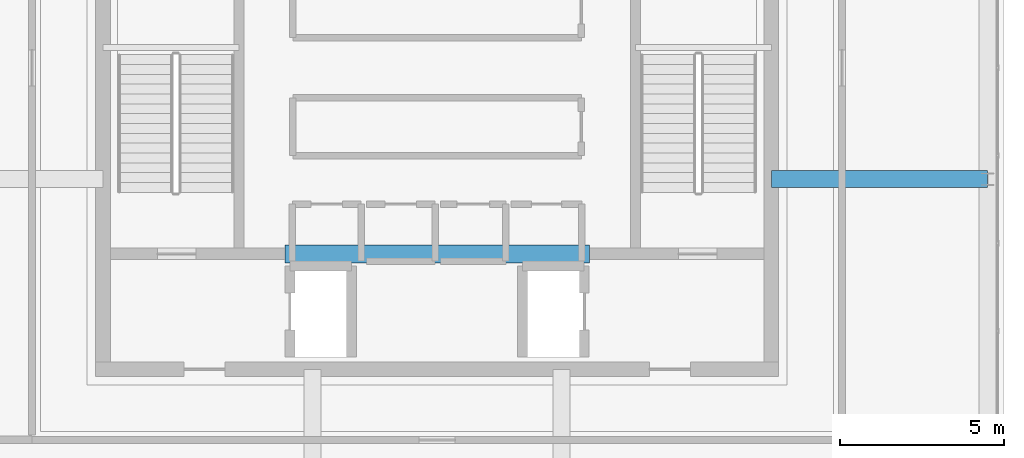
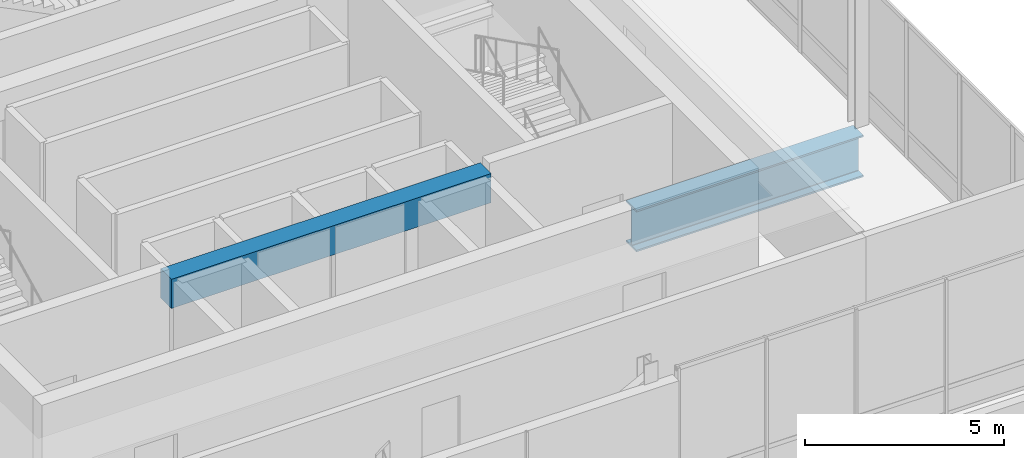
# One storey, part 8 of 25: 2 beams.
"""IFC4 building model written with IfcOpenShell, lengths in metres."""

from ifc_helpers import new_model, si_unit, direction, frame, origin, origin_2d, place, context, subcontext, project, spatial, rectangle, i_section, extrude, material, material_profile, profile_set, type_object, element, save


model = new_model("IFC4")

# Units and contexts
model_context = context("Model", 3, precision=1e-05, world=origin(), true_north=direction((0.0, 1.0)))
body_context = subcontext(model_context, "Body", "Model", "MODEL_VIEW")
ifc_project = project(units=[si_unit("LENGTHUNIT", "METRE"), si_unit("AREAUNIT", "SQUARE_METRE"), si_unit("VOLUMEUNIT", "CUBIC_METRE"), si_unit("PLANEANGLEUNIT", "RADIAN"), si_unit("MASSUNIT", "GRAM", prefix="KILO")], contexts=[model_context])

# Site, building, storey
site_placement = place(None, origin())
site = spatial("IfcSite", under=ifc_project, at=site_placement, CompositionType="ELEMENT")
building_placement = place(site_placement, origin())
building = spatial("IfcBuilding", under=site, at=building_placement, Name="Punatoya Terracotta Tower", CompositionType="ELEMENT")
storey_placement = place(building_placement, frame((0.0, 0.0, 357.300048828125)))
storey = spatial("IfcBuildingStorey", under=building, at=storey_placement, Name="L84", CompositionType="ELEMENT", Elevation=357.300048828125)

# Beams
ifc_material_1 = material(Name="Concrete C50/60", Category="concrete")
ifc_material_profile_1 = material_profile(ifc_material_1, rectangle(XDim=0.550048828125, YDim=0.89990234375, at=origin_2d()))
ifc_profile_set_1 = profile_set([ifc_material_profile_1], Name="Concrete C50/60")
beam_type_1 = type_object("IfcBeamType", Name="BM-RC-900", PredefinedType="LINTEL", material=ifc_profile_set_1)
beam_1_placement = place(storey_placement, frame((-4.64990234375, -5.679931640625, 3.800048828125), z_axis=(1.0, 0.0, 0.0), x_axis=(0.0, 1.0, 0.0)))
element("IfcBeam", 1, at=beam_1_placement, inside=storey, type_object=beam_type_1, Name="L84 Core Coupling Lintel CSW", PredefinedType="LINTEL", context=body_context, shape_type="SweptSolid", body=[
    extrude(rectangle(XDim=0.550048828125, YDim=0.89990234375, at=origin_2d()), origin(), (0.0, 0.0, 1.0), 9.2998046875),
])
ifc_material_2 = material(Name="Steel S460", Category="steel")
ifc_material_profile_2 = material_profile(ifc_material_2, i_section(OverallWidth=0.52001953125, OverallDepth=1.280029296875, WebThickness=0.031982421875, FlangeThickness=0.050048828125, FilletRadius=0.01806640625, at=origin_2d()))
ifc_profile_set_2 = profile_set([ifc_material_profile_2], Name="Steel S460")
beam_type_2 = type_object("IfcBeamType", Name="BM-TG-NCK", PredefinedType="BEAM", material=ifc_profile_set_2)
beam_2_placement = place(storey_placement, frame((10.199951171875, -3.39990234375, -0.860107421875), z_axis=(1.0, 0.0, 0.0), x_axis=(0.0, 1.0, 0.0)))
element("IfcBeam", 2, at=beam_2_placement, inside=storey, type_object=beam_type_2, Name="BM-L84-CE1", PredefinedType="BEAM", context=body_context, shape_type="SweptSolid", body=[
    extrude(i_section(OverallWidth=0.52001953125, OverallDepth=1.280029296875, WebThickness=0.031982421875, FlangeThickness=0.050048828125, FilletRadius=0.01806640625, at=origin_2d()), origin(), (0.0, 0.0, 1.0), 6.60009765625),
])

save(model, "model.ifc")
